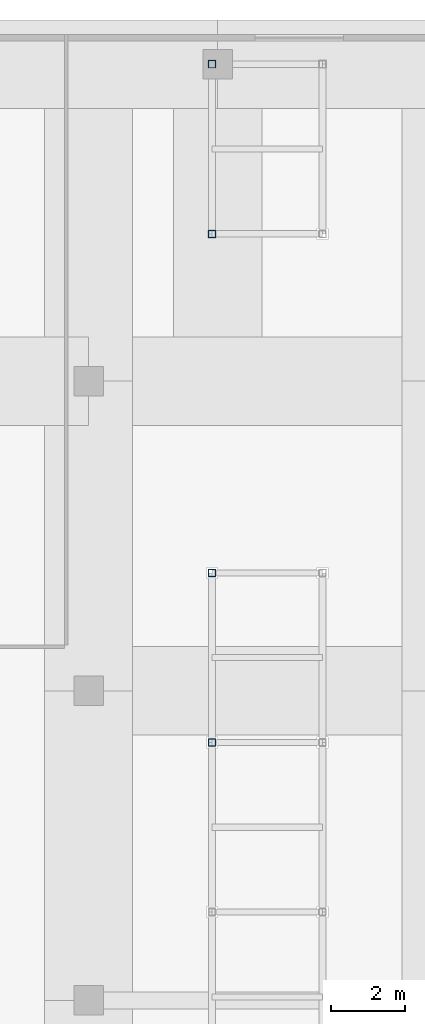
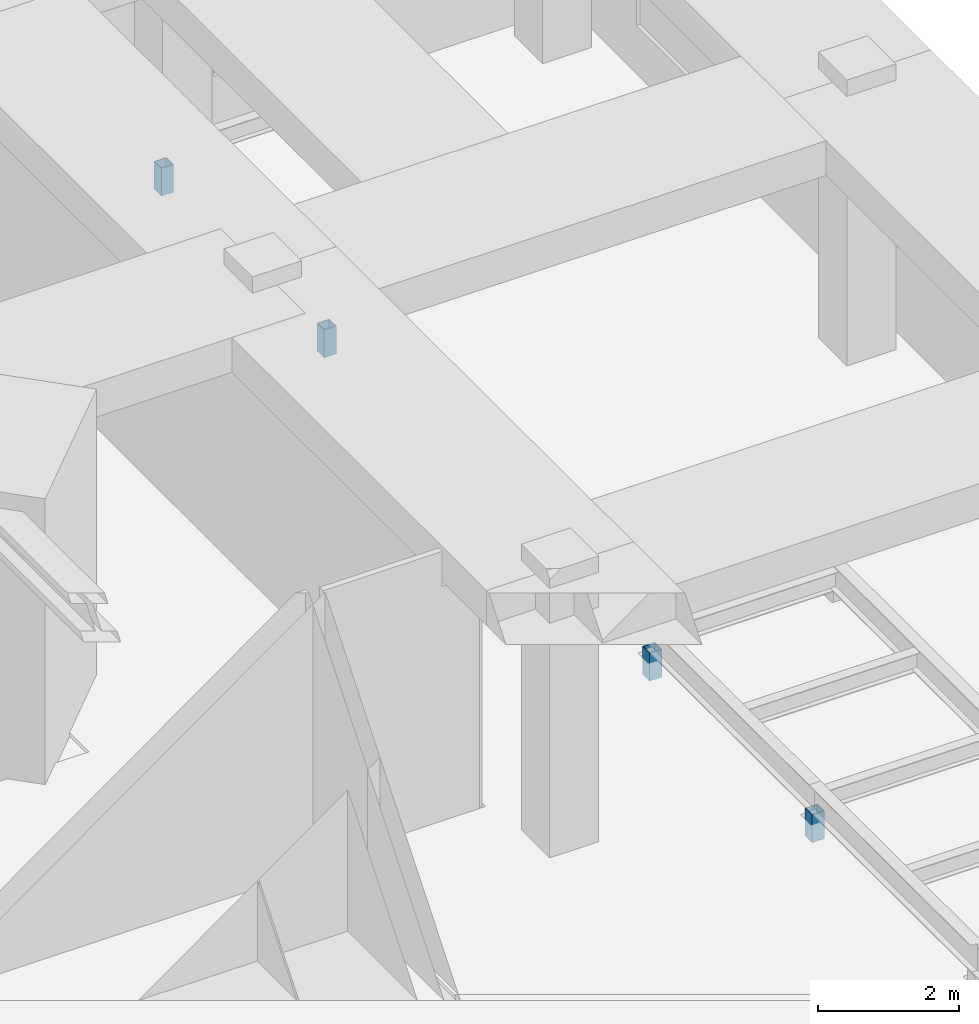
# One storey, part 7 of 17: 4 members.
"""IFC4 building model written with IfcOpenShell, lengths in metres."""

from ifc_helpers import new_model, si_unit, direction, frame, origin, origin_2d, place, context, subcontext, project, spatial, hollow_rectangle, extrude, material, material_profile, profile_set, type_object, element, save


model = new_model("IFC4")

# Units and contexts
model_context = context("Model", 3, precision=1e-05, world=origin(), true_north=direction((0.0, 1.0)))
body_context = subcontext(model_context, "Body", "Model", "MODEL_VIEW")
ifc_project = project(units=[si_unit("LENGTHUNIT", "METRE"), si_unit("AREAUNIT", "SQUARE_METRE"), si_unit("VOLUMEUNIT", "CUBIC_METRE"), si_unit("PLANEANGLEUNIT", "RADIAN"), si_unit("MASSUNIT", "GRAM", prefix="KILO")], contexts=[model_context])

# Site, building, storey
site_placement = place(None, origin())
site = spatial("IfcSite", under=ifc_project, at=site_placement, CompositionType="ELEMENT")
building_placement = place(site_placement, origin())
building = spatial("IfcBuilding", under=site, at=building_placement, Name="Jalousie Tower", CompositionType="ELEMENT")
storey_placement = place(building_placement, frame((0.0, 0.0, 16.0)))
storey = spatial("IfcBuildingStorey", under=building, at=storey_placement, Name="L03", CompositionType="ELEMENT", Elevation=16.0)

# Members
ifc_material = material(Name="Steel ASTM A500 Grade C", Category="steel")
ifc_material_profile = material_profile(ifc_material, hollow_rectangle(XDim=0.203125, YDim=0.203125, WallThickness=0.0126953125, at=origin_2d()), Name="HSS8X8X1/2")
ifc_profile_set = profile_set([ifc_material_profile], Name="Steel ASTM A500 Grade C")
member_type = type_object("IfcMemberType", Name="PLANT SUPPORT STOOL HSS8X8X1/2", PredefinedType="POST", material=ifc_profile_set)
for number, where, z_axis, x_axis, name in (
    (1, (52.85009765625, 26.800048828125, -0.280029296875), (0.0, 0.0, 1.0), (1.0, 0.0, 0.0), "Plant support stool Air handling plant room L03"),
    (2, (52.85009765625, 31.39990234375, -0.280029296875), (0.0, 0.0, 1.0), (1.0, 0.0, 0.0), "Plant support stool Air handling plant room L03"),
    (3, (52.85009765625, 40.60009765625, -0.280029296875), (0.0, 0.0, 1.0), (1.0, 0.0, 0.0), "Plant support stool Air handling plant room L03"),
    (4, (52.85009765625, 45.199951171875, -0.280029296875), (0.0, 0.0, 1.0), (1.0, 0.0, 0.0), "Plant support stool Air handling plant room L03"),
):
    element("IfcMember", number, at=place(storey_placement, frame(where, z_axis=z_axis, x_axis=x_axis)), inside=storey, type_object=member_type, Name=name, PredefinedType="POST", context=body_context, shape_type="SweptSolid", body=[
        extrude(hollow_rectangle(XDim=0.203125, YDim=0.203125, WallThickness=0.0126953125, at=origin_2d()), origin(), (0.0, 0.0, 1.0), 0.47998046875),
    ])

save(model, "model.ifc")
